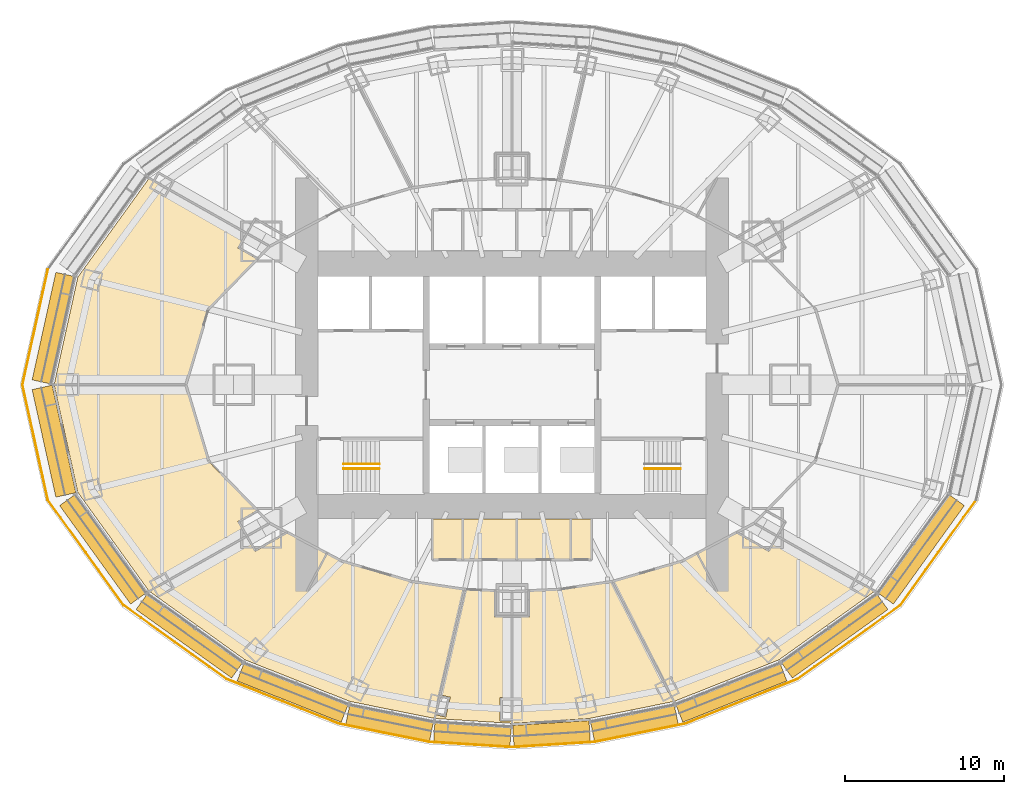
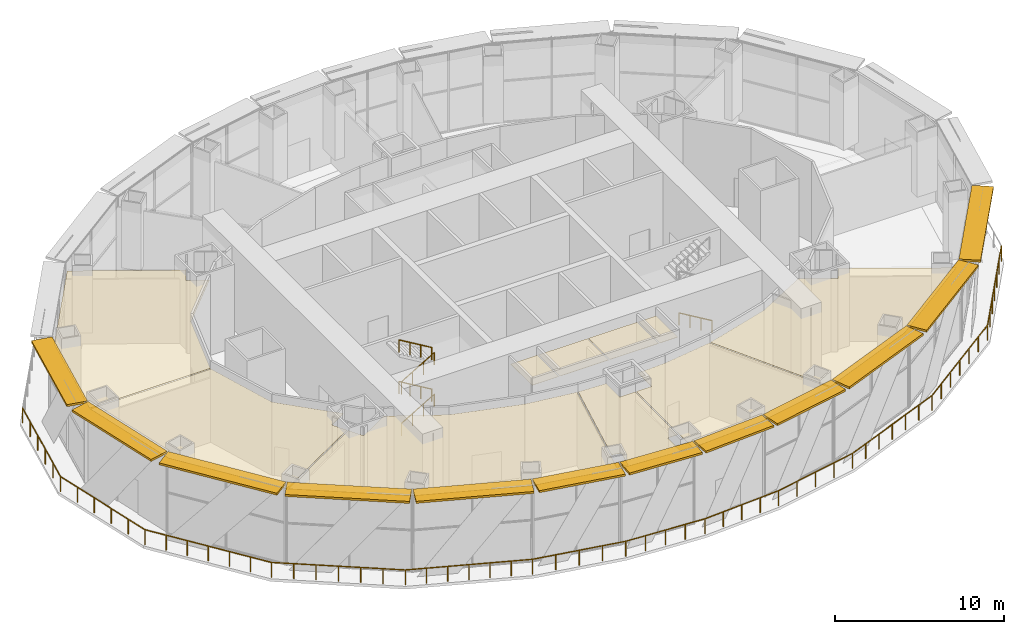
# One storey, part 19 of 21: 17 railings, 12 shading devices, 10 coverings.
"""IFC4 building model written with IfcOpenShell, lengths in metres."""

from ifc_helpers import new_model, si_unit, direction, frame, origin, origin_2d, place, context, subcontext, project, spatial, polyline, rectangle, circle, outline, extrude, material, layer, layer_set, type_object, element, save


model = new_model("IFC4")

# Units and contexts
model_context = context("Model", 3, precision=1e-05, world=origin(), true_north=direction((0.0, 1.0)))
body_context = subcontext(model_context, "Body", "Model", "MODEL_VIEW")
ifc_project = project(units=[si_unit("LENGTHUNIT", "METRE"), si_unit("AREAUNIT", "SQUARE_METRE"), si_unit("VOLUMEUNIT", "CUBIC_METRE"), si_unit("PLANEANGLEUNIT", "RADIAN"), si_unit("MASSUNIT", "GRAM", prefix="KILO")], contexts=[model_context])

# Site, building, storey
site_placement = place(None, origin())
site = spatial("IfcSite", under=ifc_project, at=site_placement, CompositionType="ELEMENT")
building_placement = place(site_placement, origin())
building = spatial("IfcBuilding", under=site, at=building_placement, Name="Lantaw Convention Tower", CompositionType="ELEMENT")
storey_placement = place(building_placement, frame((0.0, 0.0, 111.39990234375)))
storey = spatial("IfcBuildingStorey", under=building, at=storey_placement, Name="L26", CompositionType="ELEMENT", Elevation=111.39990234375)

# Railings
ifc_material_1 = material(Name="Stainless steel", Category="steel")
railing_type_1 = type_object("IfcRailingType", Name="Stair handrail", PredefinedType="HANDRAIL", material=ifc_material_1)
railing_1_placement = place(storey_placement, frame((-10.580078125, -5.280029296875, 0.166748046875)))
element("IfcRailing", 1, at=railing_1_placement, inside=storey, type_object=railing_type_1, Name="Stair handrail S1", PredefinedType="HANDRAIL", context=body_context, shape_type="SweptSolid", body=[
    extrude(circle(Radius=0.02392578125, at=origin_2d()), frame((0.0, 0.0, 0.8759765625), z_axis=(0.859305625298, 0.0, 0.511462454469), x_axis=(0.0, 1.0, 0.0)), (0.0, 0.0, 1.0), 2.606689453125),
    extrude(circle(Radius=0.02099609375, at=origin_2d()), origin(), (0.0, 0.0, 1.0), 0.851806640625),
    extrude(circle(Radius=0.02099609375, at=origin_2d()), frame((0.74658203125, 0.0, 0.4443359375)), (0.0, 0.0, 1.0), 0.851806640625),
    extrude(circle(Radius=0.02099609375, at=origin_2d()), frame((1.493408203125, 0.0, 0.888916015625)), (0.0, 0.0, 1.0), 0.851806640625),
    extrude(circle(Radius=0.02099609375, at=origin_2d()), frame((2.239990234375, 0.0, 1.333251953125)), (0.0, 0.0, 1.0), 0.851806640625),
])
railing_2_placement = place(storey_placement, frame((-8.340087890625, -4.97998046875, 1.666748046875)))
element("IfcRailing", 2, at=railing_2_placement, inside=storey, type_object=railing_type_1, Name="Stair handrail S1", PredefinedType="HANDRAIL", context=body_context, shape_type="SweptSolid", body=[
    extrude(circle(Radius=0.02392578125, at=origin_2d()), frame((0.0, 0.0, 0.8759765625), z_axis=(-0.859305625298, 0.0, 0.511462454469), x_axis=(0.0, -1.0, 0.0)), (0.0, 0.0, 1.0), 2.606689453125),
    extrude(circle(Radius=0.02099609375, at=origin_2d()), origin(), (0.0, 0.0, 1.0), 0.851806640625),
    extrude(circle(Radius=0.02099609375, at=origin_2d()), frame((-0.74658203125, 0.0, 0.4443359375)), (0.0, 0.0, 1.0), 0.851806640625),
    extrude(circle(Radius=0.02099609375, at=origin_2d()), frame((-1.493408203125, 0.0, 0.888916015625)), (0.0, 0.0, 1.0), 0.851806640625),
    extrude(circle(Radius=0.02099609375, at=origin_2d()), frame((-2.239990234375, 0.0, 1.333251953125)), (0.0, 0.0, 1.0), 0.851806640625),
])
railing_3_placement = place(storey_placement, frame((-10.580078125, -5.280029296875, 3.166748046875)))
element("IfcRailing", 3, at=railing_3_placement, inside=storey, type_object=railing_type_1, Name="Stair handrail S1", PredefinedType="HANDRAIL", context=body_context, shape_type="SweptSolid", body=[
    extrude(circle(Radius=0.02392578125, at=origin_2d()), frame((0.0, 0.0, 0.8759765625), z_axis=(0.859305625298, 0.0, 0.511462454469), x_axis=(0.0, 1.0, 0.0)), (0.0, 0.0, 1.0), 2.606689453125),
    extrude(circle(Radius=0.02099609375, at=origin_2d()), origin(), (0.0, 0.0, 1.0), 0.851806640625),
    extrude(circle(Radius=0.02099609375, at=origin_2d()), frame((0.74658203125, 0.0, 0.4443359375)), (0.0, 0.0, 1.0), 0.851806640625),
    extrude(circle(Radius=0.02099609375, at=origin_2d()), frame((1.493408203125, 0.0, 0.888916015625)), (0.0, 0.0, 1.0), 0.851806640625),
    extrude(circle(Radius=0.02099609375, at=origin_2d()), frame((2.239990234375, 0.0, 1.333251953125)), (0.0, 0.0, 1.0), 0.851806640625),
])
for number, where, name in (
    (4, (-8.340087890625, -4.97998046875, 4.666748046875), "Stair handrail S1"),
    (5, (10.580078125, -5.280029296875, 0.166748046875), "Stair handrail S2"),
):
    element("IfcRailing", number, at=place(storey_placement, frame(where)), inside=storey, type_object=railing_type_1, Name=name, PredefinedType="HANDRAIL", context=body_context, shape_type="SweptSolid", body=[
        extrude(circle(Radius=0.02392578125, at=origin_2d()), frame((0.0, 0.0, 0.8759765625), z_axis=(-0.859305625298, 0.0, 0.511462454469), x_axis=(0.0, -1.0, 0.0)), (0.0, 0.0, 1.0), 2.606689453125),
        extrude(circle(Radius=0.02099609375, at=origin_2d()), origin(), (0.0, 0.0, 1.0), 0.851806640625),
        extrude(circle(Radius=0.02099609375, at=origin_2d()), frame((-0.74658203125, 0.0, 0.4443359375)), (0.0, 0.0, 1.0), 0.851806640625),
        extrude(circle(Radius=0.02099609375, at=origin_2d()), frame((-1.493408203125, 0.0, 0.888916015625)), (0.0, 0.0, 1.0), 0.851806640625),
        extrude(circle(Radius=0.02099609375, at=origin_2d()), frame((-2.239990234375, 0.0, 1.333251953125)), (0.0, 0.0, 1.0), 0.851806640625),
    ])

# Coverings
ifc_material_2 = material(Name="Gypsum board on steel suspension grid", Category="steel")
ifc_layer = layer(ifc_material_2, 0.02001953125)
ifc_layer_set = layer_set([ifc_layer], Name="Suspended ceiling")
covering_type = type_object("IfcCoveringType", Name="Suspended ceiling", PredefinedType="CEILING", material=ifc_layer_set)
covering_1_placement = place(storey_placement, frame((0.0, 0.0, 5.25)))
element("IfcCovering", 6, at=covering_1_placement, inside=storey, type_object=covering_type, Name="Accessible WC ceiling", PredefinedType="CEILING", context=body_context, shape_type="SweptSolid", body=[
    extrude(outline(polyline([(-4.9599609375, -10.967041015625), (-3.139892578125, -10.967041015625), (-3.139892578125, -8.43994140625), (-4.9599609375, -8.43994140625), (-4.9599609375, -10.967041015625)])), origin(), (0.0, 0.0, 1.0), 0.02001953125),
])
covering_2_placement = place(storey_placement, frame((0.0, 0.0, 5.25)))
element("IfcCovering", 7, at=covering_2_placement, inside=storey, type_object=covering_type, Name="Male WC ceiling", PredefinedType="CEILING", context=body_context, shape_type="SweptSolid", body=[
    extrude(outline(polyline([(-3.06005859375, -10.967041015625), (0.260009765625, -10.967041015625), (0.260009765625, -8.43994140625), (-3.06005859375, -8.43994140625), (-3.06005859375, -10.967041015625)])), origin(), (0.0, 0.0, 1.0), 0.02001953125),
])
covering_3_placement = place(storey_placement, frame((0.0, 0.0, 5.25)))
element("IfcCovering", 8, at=covering_3_placement, inside=storey, type_object=covering_type, Name="Female WC ceiling", PredefinedType="CEILING", context=body_context, shape_type="SweptSolid", body=[
    extrude(outline(polyline([(0.340087890625, -10.967041015625), (3.659912109375, -10.967041015625), (3.659912109375, -8.43994140625), (0.340087890625, -8.43994140625), (0.340087890625, -10.967041015625)])), origin(), (0.0, 0.0, 1.0), 0.02001953125),
])
covering_4_placement = place(storey_placement, frame((0.0, 0.0, 5.25)))
element("IfcCovering", 9, at=covering_4_placement, inside=storey, type_object=covering_type, Name="Pantry ceiling", PredefinedType="CEILING", context=body_context, shape_type="SweptSolid", body=[
    extrude(outline(polyline([(3.739990234375, -10.967041015625), (4.9599609375, -10.967041015625), (4.9599609375, -8.43994140625), (3.739990234375, -8.43994140625), (3.739990234375, -10.967041015625)])), origin(), (0.0, 0.0, 1.0), 0.02001953125),
])
covering_5_placement = place(storey_placement, frame((0.0, 0.0, 5.25)))
element("IfcCovering", 10, at=covering_5_placement, inside=storey, type_object=covering_type, Name="Security office ceiling", PredefinedType="CEILING", context=body_context, shape_type="SweptSolid", body=[
    extrude(outline(polyline([(-19.11376953125, 4.777587890625), (-16.051513671875, 7.916748046875), (-17.237060546875, 8.594482421875), (-16.720703125, 9.498291015625), (-22.832275390625, 12.947265625), (-27.286865234375, 6.763671875), (-28.77099609375, 0.0400390625), (-20.52978515625, 0.0400390625), (-19.11376953125, 4.777587890625)])), origin(), (0.0, 0.0, 1.0), 0.02001953125),
])
covering_6_placement = place(storey_placement, frame((0.0, 0.0, 5.25)))
element("IfcCovering", 11, at=covering_6_placement, inside=storey, type_object=covering_type, Name="Tenant pantry ceiling", PredefinedType="CEILING", context=body_context, shape_type="SweptSolid", body=[
    extrude(outline(polyline([(-19.11376953125, -4.777587890625), (-20.52978515625, -0.0400390625), (-28.77099609375, -0.0400390625), (-27.286865234375, -6.763671875), (-22.832275390625, -12.947265625), (-16.720703125, -9.498291015625), (-17.237060546875, -8.594482421875), (-16.051513671875, -7.916748046875), (-19.11376953125, -4.777587890625)])), origin(), (0.0, 0.0, 1.0), 0.02001953125),
])
covering_7_placement = place(storey_placement, frame((0.0, 0.0, 5.25)))
element("IfcCovering", 12, at=covering_7_placement, inside=storey, type_object=covering_type, Name="Tenant business centre ceiling", PredefinedType="CEILING", context=body_context, shape_type="SweptSolid", body=[
    extrude(outline(polyline([(-10.720947265625, -11.12353515625), (-14.12744140625, -9.328369140625), (-16.155517578125, -10.487060546875), (-16.68115234375, -9.567626953125), (-22.76953125, -13.003662109375), (-16.778076171875, -17.29150390625), (-10.1865234375, -19.90576171875), (-4.899658203125, -20.970947265625), (-3.0185546875, -12.89599609375), (-6.3115234375, -12.409423828125), (-10.720947265625, -11.12353515625)])), origin(), (0.0, 0.0, 1.0), 0.02001953125),
])
covering_8_placement = place(storey_placement, frame((0.0, 0.0, 5.25)))
element("IfcCovering", 13, at=covering_8_placement, inside=storey, type_object=covering_type, Name="Mail and courier room ceiling", PredefinedType="CEILING", context=body_context, shape_type="SweptSolid", body=[
    extrude(outline(polyline([(-1.090087890625, -14.590087890625), (-1.090087890625, -12.98974609375), (-2.938232421875, -12.904296875), (-4.475341796875, -19.50244140625), (-3.87744140625, -19.640380859375), (-4.16552734375, -20.8876953125), (-4.765869140625, -20.7490234375), (-4.820068359375, -20.98095703125), (-0.0400390625, -21.281982421875), (-0.0400390625, -21.139892578125), (-0.739990234375, -21.139892578125), (-0.739990234375, -19.659912109375), (-0.0400390625, -19.659912109375), (-0.0400390625, -14.590087890625), (-1.090087890625, -14.590087890625)])), origin(), (0.0, 0.0, 1.0), 0.02001953125),
])
covering_9_placement = place(storey_placement, frame((0.0, 0.0, 5.25)))
element("IfcCovering", 14, at=covering_9_placement, inside=storey, type_object=covering_type, Name="Concierge office ceiling", PredefinedType="CEILING", context=body_context, shape_type="SweptSolid", body=[
    extrude(outline(polyline([(2.973388671875, -12.90283203125), (1.090087890625, -12.98974609375), (1.090087890625, -14.590087890625), (0.0400390625, -14.590087890625), (0.0400390625, -21.281982421875), (4.864501953125, -20.978271484375), (10.13818359375, -19.91552734375), (6.280517578125, -12.4140625), (2.973388671875, -12.90283203125)])), origin(), (0.0, 0.0, 1.0), 0.02001953125),
])
covering_10_placement = place(storey_placement, frame((0.0, 0.0, 5.25)))
element("IfcCovering", 15, at=covering_10_placement, inside=storey, type_object=covering_type, Name="Business centre office ceiling", PredefinedType="CEILING", context=body_context, shape_type="SweptSolid", body=[
    extrude(outline(polyline([(10.720947265625, -11.12353515625), (6.36083984375, -12.39501953125), (10.217041015625, -19.893798828125), (16.778076171875, -17.29150390625), (22.76953125, -13.003662109375), (16.68115234375, -9.567626953125), (16.155517578125, -10.487060546875), (14.12744140625, -9.328369140625), (10.720947265625, -11.12353515625)])), origin(), (0.0, 0.0, 1.0), 0.02001953125),
])

# Railings
ifc_material_3 = material(Name="Stainless steel posts and laminated glass, pale silver finish", Category="steel")
railing_type_2 = type_object("IfcRailingType", Name="Terrace guard railing 1100", PredefinedType="GUARDRAIL", material=ifc_material_3)
railing_4_placement = place(storey_placement, frame((-29.17529296875, 7.23291015625, 0.0)))
element("IfcRailing", 16, at=railing_4_placement, inside=storey, type_object=railing_type_2, Name="Terrace guard", PredefinedType="GUARDRAIL", context=body_context, shape_type="SweptSolid", body=[
    extrude(circle(Radius=0.02392578125, at=origin_2d()), frame((0.0, 0.0, 1.076171875), z_axis=(-0.215247863414, -0.976559448931, 0.0), x_axis=(0.976559448931, -0.215247863414, 0.0)), (0.0, 0.0, 1.0), 7.406494140625),
    extrude(circle(Radius=0.02099609375, at=origin_2d()), origin(), (0.0, 0.0, 1.0), 1.052001953125),
    extrude(circle(Radius=0.02099609375, at=origin_2d()), frame((-0.31884765625, -1.446533203125, 0.0)), (0.0, 0.0, 1.0), 1.052001953125),
    extrude(circle(Radius=0.02099609375, at=origin_2d()), frame((-0.6376953125, -2.89306640625, 0.0)), (0.0, 0.0, 1.0), 1.052001953125),
    extrude(circle(Radius=0.02099609375, at=origin_2d()), frame((-0.95654296875, -4.33984375, 0.0)), (0.0, 0.0, 1.0), 1.052001953125),
    extrude(circle(Radius=0.02099609375, at=origin_2d()), frame((-1.275390625, -5.786376953125, 0.0)), (0.0, 0.0, 1.0), 1.052001953125),
    extrude(circle(Radius=0.02099609375, at=origin_2d()), frame((-1.59423828125, -7.23291015625, 0.0)), (0.0, 0.0, 1.0), 1.052001953125),
])
railing_5_placement = place(storey_placement, frame((-30.76953125, 0.0, 0.0)))
element("IfcRailing", 17, at=railing_5_placement, inside=storey, type_object=railing_type_2, Name="Terrace guard", PredefinedType="GUARDRAIL", context=body_context, shape_type="SweptSolid", body=[
    extrude(circle(Radius=0.02392578125, at=origin_2d()), frame((0.0, 0.0, 1.076171875), z_axis=(0.215247863414, -0.976559448931, 0.0), x_axis=(0.976559448931, 0.215247863414, 0.0)), (0.0, 0.0, 1.0), 7.406494140625),
    extrude(circle(Radius=0.02099609375, at=origin_2d()), origin(), (0.0, 0.0, 1.0), 1.052001953125),
    extrude(circle(Radius=0.02099609375, at=origin_2d()), frame((0.31884765625, -1.446533203125, 0.0)), (0.0, 0.0, 1.0), 1.052001953125),
    extrude(circle(Radius=0.02099609375, at=origin_2d()), frame((0.6376953125, -2.89306640625, 0.0)), (0.0, 0.0, 1.0), 1.052001953125),
    extrude(circle(Radius=0.02099609375, at=origin_2d()), frame((0.95654296875, -4.33984375, 0.0)), (0.0, 0.0, 1.0), 1.052001953125),
    extrude(circle(Radius=0.02099609375, at=origin_2d()), frame((1.275390625, -5.786376953125, 0.0)), (0.0, 0.0, 1.0), 1.052001953125),
    extrude(circle(Radius=0.02099609375, at=origin_2d()), frame((1.59423828125, -7.23291015625, 0.0)), (0.0, 0.0, 1.0), 1.052001953125),
])
railing_6_placement = place(storey_placement, frame((-29.17529296875, -7.23291015625, 0.0)))
element("IfcRailing", 18, at=railing_6_placement, inside=storey, type_object=railing_type_2, Name="Terrace guard", PredefinedType="GUARDRAIL", context=body_context, shape_type="SweptSolid", body=[
    extrude(circle(Radius=0.02392578125, at=origin_2d()), frame((0.0, 0.0, 1.076171875), z_axis=(0.58395397625, -0.811786766104, 0.0), x_axis=(0.811786766104, 0.58395397625, 0.0)), (0.0, 0.0, 1.0), 8.179443359375),
    extrude(circle(Radius=0.02099609375, at=origin_2d()), origin(), (0.0, 0.0, 1.0), 1.052001953125),
    extrude(circle(Radius=0.02099609375, at=origin_2d()), frame((0.796142578125, -1.106689453125, 0.0)), (0.0, 0.0, 1.0), 1.052001953125),
    extrude(circle(Radius=0.02099609375, at=origin_2d()), frame((1.592041015625, -2.21337890625, 0.0)), (0.0, 0.0, 1.0), 1.052001953125),
    extrude(circle(Radius=0.02099609375, at=origin_2d()), frame((2.38818359375, -3.31982421875, 0.0)), (0.0, 0.0, 1.0), 1.052001953125),
    extrude(circle(Radius=0.02099609375, at=origin_2d()), frame((3.184326171875, -4.426513671875, 0.0)), (0.0, 0.0, 1.0), 1.052001953125),
    extrude(circle(Radius=0.02099609375, at=origin_2d()), frame((3.980224609375, -5.533203125, 0.0)), (0.0, 0.0, 1.0), 1.052001953125),
    extrude(circle(Radius=0.02099609375, at=origin_2d()), frame((4.7763671875, -6.639892578125, 0.0)), (0.0, 0.0, 1.0), 1.052001953125),
])
railing_7_placement = place(storey_placement, frame((-24.39892578125, -13.872802734375, 0.0)))
element("IfcRailing", 19, at=railing_7_placement, inside=storey, type_object=railing_type_2, Name="Terrace guard", PredefinedType="GUARDRAIL", context=body_context, shape_type="SweptSolid", body=[
    extrude(circle(Radius=0.02392578125, at=origin_2d()), frame((0.0, 0.0, 1.076171875), z_axis=(0.812795285718, -0.582549417229, 0.0), x_axis=(0.582549417229, 0.812795285718, 0.0)), (0.0, 0.0, 1.0), 7.938720703125),
    extrude(circle(Radius=0.02099609375, at=origin_2d()), origin(), (0.0, 0.0, 1.0), 1.052001953125),
    extrude(circle(Radius=0.02099609375, at=origin_2d()), frame((1.075439453125, -0.770751953125, 0.0)), (0.0, 0.0, 1.0), 1.052001953125),
    extrude(circle(Radius=0.02099609375, at=origin_2d()), frame((2.15087890625, -1.54150390625, 0.0)), (0.0, 0.0, 1.0), 1.052001953125),
    extrude(circle(Radius=0.02099609375, at=origin_2d()), frame((3.226318359375, -2.3125, 0.0)), (0.0, 0.0, 1.0), 1.052001953125),
    extrude(circle(Radius=0.02099609375, at=origin_2d()), frame((4.3017578125, -3.083251953125, 0.0)), (0.0, 0.0, 1.0), 1.052001953125),
    extrude(circle(Radius=0.02099609375, at=origin_2d()), frame((5.377197265625, -3.85400390625, 0.0)), (0.0, 0.0, 1.0), 1.052001953125),
    extrude(circle(Radius=0.02099609375, at=origin_2d()), frame((6.45263671875, -4.624755859375, 0.0)), (0.0, 0.0, 1.0), 1.052001953125),
])
railing_8_placement = place(storey_placement, frame((-17.9462890625, -18.49755859375, 0.0)))
element("IfcRailing", 20, at=railing_8_placement, inside=storey, type_object=railing_type_2, Name="Terrace guard", PredefinedType="GUARDRAIL", context=body_context, shape_type="SweptSolid", body=[
    extrude(circle(Radius=0.02392578125, at=origin_2d()), frame((0.0, 0.0, 1.076171875), z_axis=(0.929366458811, -0.369158482548, 0.0), x_axis=(0.369158482548, 0.929366458811, 0.0)), (0.0, 0.0, 1.0), 7.584228515625),
    extrude(circle(Radius=0.02099609375, at=origin_2d()), origin(), (0.0, 0.0, 1.0), 1.052001953125),
    extrude(circle(Radius=0.02099609375, at=origin_2d()), frame((1.1748046875, -0.466552734375, 0.0)), (0.0, 0.0, 1.0), 1.052001953125),
    extrude(circle(Radius=0.02099609375, at=origin_2d()), frame((2.349609375, -0.933349609375, 0.0)), (0.0, 0.0, 1.0), 1.052001953125),
    extrude(circle(Radius=0.02099609375, at=origin_2d()), frame((3.5244140625, -1.39990234375, 0.0)), (0.0, 0.0, 1.0), 1.052001953125),
    extrude(circle(Radius=0.02099609375, at=origin_2d()), frame((4.698974609375, -1.866455078125, 0.0)), (0.0, 0.0, 1.0), 1.052001953125),
    extrude(circle(Radius=0.02099609375, at=origin_2d()), frame((5.873779296875, -2.333251953125, 0.0)), (0.0, 0.0, 1.0), 1.052001953125),
    extrude(circle(Radius=0.02099609375, at=origin_2d()), frame((7.048583984375, -2.7998046875, 0.0)), (0.0, 0.0, 1.0), 1.052001953125),
])
railing_9_placement = place(storey_placement, frame((-10.897705078125, -21.29736328125, 0.0)))
element("IfcRailing", 21, at=railing_9_placement, inside=storey, type_object=railing_type_2, Name="Terrace guard", PredefinedType="GUARDRAIL", context=body_context, shape_type="SweptSolid", body=[
    extrude(circle(Radius=0.02392578125, at=origin_2d()), frame((0.0, 0.0, 1.076171875), z_axis=(0.980239698591, -0.197813379999, 0.0), x_axis=(0.197813379999, 0.980239698591, 0.0)), (0.0, 0.0, 1.0), 5.80810546875),
    extrude(circle(Radius=0.02099609375, at=origin_2d()), origin(), (0.0, 0.0, 1.0), 1.052001953125),
    extrude(circle(Radius=0.02099609375, at=origin_2d()), frame((1.42333984375, -0.287109375, 0.0)), (0.0, 0.0, 1.0), 1.052001953125),
    extrude(circle(Radius=0.02099609375, at=origin_2d()), frame((2.8466796875, -0.574462890625, 0.0)), (0.0, 0.0, 1.0), 1.052001953125),
    extrude(circle(Radius=0.02099609375, at=origin_2d()), frame((4.27001953125, -0.86181640625, 0.0)), (0.0, 0.0, 1.0), 1.052001953125),
    extrude(circle(Radius=0.02099609375, at=origin_2d()), frame((5.693359375, -1.14892578125, 0.0)), (0.0, 0.0, 1.0), 1.052001953125),
])
railing_10_placement = place(storey_placement, frame((-5.204345703125, -22.4462890625, 0.0)))
element("IfcRailing", 22, at=railing_10_placement, inside=storey, type_object=railing_type_2, Name="Terrace guard", PredefinedType="GUARDRAIL", context=body_context, shape_type="SweptSolid", body=[
    extrude(circle(Radius=0.02392578125, at=origin_2d()), frame((0.0, 0.0, 1.076171875), z_axis=(0.998015422482, -0.062969964969, 0.0), x_axis=(0.062969964969, 0.998015422482, 0.0)), (0.0, 0.0, 1.0), 5.214599609375),
    extrude(circle(Radius=0.02099609375, at=origin_2d()), origin(), (0.0, 0.0, 1.0), 1.052001953125),
    extrude(circle(Radius=0.02099609375, at=origin_2d()), frame((1.301025390625, -0.08203125, 0.0)), (0.0, 0.0, 1.0), 1.052001953125),
    extrude(circle(Radius=0.02099609375, at=origin_2d()), frame((2.60205078125, -0.1640625, 0.0)), (0.0, 0.0, 1.0), 1.052001953125),
    extrude(circle(Radius=0.02099609375, at=origin_2d()), frame((3.9033203125, -0.246337890625, 0.0)), (0.0, 0.0, 1.0), 1.052001953125),
    extrude(circle(Radius=0.02099609375, at=origin_2d()), frame((5.204345703125, -0.328369140625, 0.0)), (0.0, 0.0, 1.0), 1.052001953125),
])
railing_11_placement = place(storey_placement, frame((0.0, -22.774658203125, 0.0)))
element("IfcRailing", 23, at=railing_11_placement, inside=storey, type_object=railing_type_2, Name="Terrace guard", PredefinedType="GUARDRAIL", context=body_context, shape_type="SweptSolid", body=[
    extrude(circle(Radius=0.02392578125, at=origin_2d()), frame((0.0, 0.0, 1.076171875), z_axis=(0.998015422482, 0.062969964969, 0.0), x_axis=(-0.062969964969, 0.998015422482, 0.0)), (0.0, 0.0, 1.0), 5.214599609375),
    extrude(circle(Radius=0.02099609375, at=origin_2d()), origin(), (0.0, 0.0, 1.0), 1.052001953125),
    extrude(circle(Radius=0.02099609375, at=origin_2d()), frame((1.301025390625, 0.08203125, 0.0)), (0.0, 0.0, 1.0), 1.052001953125),
    extrude(circle(Radius=0.02099609375, at=origin_2d()), frame((2.60205078125, 0.1640625, 0.0)), (0.0, 0.0, 1.0), 1.052001953125),
    extrude(circle(Radius=0.02099609375, at=origin_2d()), frame((3.9033203125, 0.246337890625, 0.0)), (0.0, 0.0, 1.0), 1.052001953125),
    extrude(circle(Radius=0.02099609375, at=origin_2d()), frame((5.204345703125, 0.328369140625, 0.0)), (0.0, 0.0, 1.0), 1.052001953125),
])
railing_12_placement = place(storey_placement, frame((5.204345703125, -22.4462890625, 0.0)))
element("IfcRailing", 24, at=railing_12_placement, inside=storey, type_object=railing_type_2, Name="Terrace guard", PredefinedType="GUARDRAIL", context=body_context, shape_type="SweptSolid", body=[
    extrude(circle(Radius=0.02392578125, at=origin_2d()), frame((0.0, 0.0, 1.076171875), z_axis=(0.980239698591, 0.197813379999, 0.0), x_axis=(-0.197813379999, 0.980239698591, 0.0)), (0.0, 0.0, 1.0), 5.80810546875),
    extrude(circle(Radius=0.02099609375, at=origin_2d()), origin(), (0.0, 0.0, 1.0), 1.052001953125),
    extrude(circle(Radius=0.02099609375, at=origin_2d()), frame((1.42333984375, 0.287109375, 0.0)), (0.0, 0.0, 1.0), 1.052001953125),
    extrude(circle(Radius=0.02099609375, at=origin_2d()), frame((2.8466796875, 0.574462890625, 0.0)), (0.0, 0.0, 1.0), 1.052001953125),
    extrude(circle(Radius=0.02099609375, at=origin_2d()), frame((4.27001953125, 0.86181640625, 0.0)), (0.0, 0.0, 1.0), 1.052001953125),
    extrude(circle(Radius=0.02099609375, at=origin_2d()), frame((5.693359375, 1.14892578125, 0.0)), (0.0, 0.0, 1.0), 1.052001953125),
])
railing_13_placement = place(storey_placement, frame((10.897705078125, -21.29736328125, 0.0)))
element("IfcRailing", 25, at=railing_13_placement, inside=storey, type_object=railing_type_2, Name="Terrace guard", PredefinedType="GUARDRAIL", context=body_context, shape_type="SweptSolid", body=[
    extrude(circle(Radius=0.02392578125, at=origin_2d()), frame((0.0, 0.0, 1.076171875), z_axis=(0.929366458811, 0.369158482548, 0.0), x_axis=(-0.369158482548, 0.929366458811, 0.0)), (0.0, 0.0, 1.0), 7.584228515625),
    extrude(circle(Radius=0.02099609375, at=origin_2d()), origin(), (0.0, 0.0, 1.0), 1.052001953125),
    extrude(circle(Radius=0.02099609375, at=origin_2d()), frame((1.1748046875, 0.466552734375, 0.0)), (0.0, 0.0, 1.0), 1.052001953125),
    extrude(circle(Radius=0.02099609375, at=origin_2d()), frame((2.349609375, 0.933349609375, 0.0)), (0.0, 0.0, 1.0), 1.052001953125),
    extrude(circle(Radius=0.02099609375, at=origin_2d()), frame((3.5244140625, 1.39990234375, 0.0)), (0.0, 0.0, 1.0), 1.052001953125),
    extrude(circle(Radius=0.02099609375, at=origin_2d()), frame((4.698974609375, 1.866455078125, 0.0)), (0.0, 0.0, 1.0), 1.052001953125),
    extrude(circle(Radius=0.02099609375, at=origin_2d()), frame((5.873779296875, 2.333251953125, 0.0)), (0.0, 0.0, 1.0), 1.052001953125),
    extrude(circle(Radius=0.02099609375, at=origin_2d()), frame((7.048583984375, 2.7998046875, 0.0)), (0.0, 0.0, 1.0), 1.052001953125),
])
railing_14_placement = place(storey_placement, frame((17.9462890625, -18.49755859375, 0.0)))
element("IfcRailing", 26, at=railing_14_placement, inside=storey, type_object=railing_type_2, Name="Terrace guard", PredefinedType="GUARDRAIL", context=body_context, shape_type="SweptSolid", body=[
    extrude(circle(Radius=0.02392578125, at=origin_2d()), frame((0.0, 0.0, 1.076171875), z_axis=(0.812795285718, 0.582549417229, 0.0), x_axis=(-0.582549417229, 0.812795285718, 0.0)), (0.0, 0.0, 1.0), 7.938720703125),
    extrude(circle(Radius=0.02099609375, at=origin_2d()), origin(), (0.0, 0.0, 1.0), 1.052001953125),
    extrude(circle(Radius=0.02099609375, at=origin_2d()), frame((1.075439453125, 0.770751953125, 0.0)), (0.0, 0.0, 1.0), 1.052001953125),
    extrude(circle(Radius=0.02099609375, at=origin_2d()), frame((2.15087890625, 1.54150390625, 0.0)), (0.0, 0.0, 1.0), 1.052001953125),
    extrude(circle(Radius=0.02099609375, at=origin_2d()), frame((3.226318359375, 2.3125, 0.0)), (0.0, 0.0, 1.0), 1.052001953125),
    extrude(circle(Radius=0.02099609375, at=origin_2d()), frame((4.3017578125, 3.083251953125, 0.0)), (0.0, 0.0, 1.0), 1.052001953125),
    extrude(circle(Radius=0.02099609375, at=origin_2d()), frame((5.377197265625, 3.85400390625, 0.0)), (0.0, 0.0, 1.0), 1.052001953125),
    extrude(circle(Radius=0.02099609375, at=origin_2d()), frame((6.45263671875, 4.624755859375, 0.0)), (0.0, 0.0, 1.0), 1.052001953125),
])
railing_15_placement = place(storey_placement, frame((24.39892578125, -13.872802734375, 0.0)))
element("IfcRailing", 27, at=railing_15_placement, inside=storey, type_object=railing_type_2, Name="Terrace guard", PredefinedType="GUARDRAIL", context=body_context, shape_type="SweptSolid", body=[
    extrude(circle(Radius=0.02392578125, at=origin_2d()), frame((0.0, 0.0, 1.076171875), z_axis=(0.58395397625, 0.811786766104, 0.0), x_axis=(-0.811786766104, 0.58395397625, 0.0)), (0.0, 0.0, 1.0), 8.179443359375),
    extrude(circle(Radius=0.02099609375, at=origin_2d()), origin(), (0.0, 0.0, 1.0), 1.052001953125),
    extrude(circle(Radius=0.02099609375, at=origin_2d()), frame((0.796142578125, 1.106689453125, 0.0)), (0.0, 0.0, 1.0), 1.052001953125),
    extrude(circle(Radius=0.02099609375, at=origin_2d()), frame((1.592041015625, 2.21337890625, 0.0)), (0.0, 0.0, 1.0), 1.052001953125),
    extrude(circle(Radius=0.02099609375, at=origin_2d()), frame((2.38818359375, 3.31982421875, 0.0)), (0.0, 0.0, 1.0), 1.052001953125),
    extrude(circle(Radius=0.02099609375, at=origin_2d()), frame((3.184326171875, 4.426513671875, 0.0)), (0.0, 0.0, 1.0), 1.052001953125),
    extrude(circle(Radius=0.02099609375, at=origin_2d()), frame((3.980224609375, 5.533203125, 0.0)), (0.0, 0.0, 1.0), 1.052001953125),
    extrude(circle(Radius=0.02099609375, at=origin_2d()), frame((4.7763671875, 6.639892578125, 0.0)), (0.0, 0.0, 1.0), 1.052001953125),
])

# Shading devices
for number, where, z_axis, x_axis, name in (
    (28, (-28.7880859375, 3.546875, 5.705078125), (0.0, 0.0, 1.0), (-0.215546166174, -0.9764936509, 0.0), "SUNSHADE blade"),
    (29, (-28.7880859375, -3.546875, 5.705078125), (0.0, 0.0, 1.0), (0.215546166174, -0.9764936509, 0.0), "SUNSHADE blade"),
):
    element("IfcShadingDevice", number, at=place(storey_placement, frame(where, z_axis=z_axis, x_axis=x_axis)), inside=storey, Name=name, ObjectType="SUNSHADE", PredefinedType="USERDEFINED", context=body_context, shape_type="SweptSolid", body=[
        extrude(rectangle(XDim=6.918212890625, YDim=1.284912109375, at=origin_2d()), origin(), (0.0, 0.0, 1.0), 0.14990234375),
    ])
shading_device_1_placement = place(storey_placement, frame((-25.680419921875, -10.315185546875, 5.705078125), z_axis=(0.0, 0.0, 1.0), x_axis=(0.584512597221, -0.811384633629, 0.0)))
element("IfcShadingDevice", 30, at=shading_device_1_placement, inside=storey, Name="SUNSHADE blade", ObjectType="SUNSHADE", PredefinedType="USERDEFINED", context=body_context, shape_type="SweptSolid", body=[
    extrude(rectangle(XDim=7.6298828125, YDim=1.284912109375, at=origin_2d()), origin(), (0.0, 0.0, 1.0), 0.14990234375),
])
shading_device_2_placement = place(storey_placement, frame((-20.249755859375, -15.7568359375, 5.705078125), z_axis=(0.0, 0.0, 1.0), x_axis=(0.813208325995, -0.581972695693, 0.0)))
element("IfcShadingDevice", 31, at=shading_device_2_placement, inside=storey, Name="SUNSHADE blade", ObjectType="SUNSHADE", PredefinedType="USERDEFINED", context=body_context, shape_type="SweptSolid", body=[
    extrude(rectangle(XDim=7.385498046875, YDim=1.284912109375, at=origin_2d()), origin(), (0.0, 0.0, 1.0), 0.14990234375),
])
shading_device_3_placement = place(storey_placement, frame((-13.7705078125, -19.3154296875, 5.705078125), z_axis=(0.0, 0.0, 1.0), x_axis=(0.929547687544, -0.368701907483, 0.0)))
element("IfcShadingDevice", 32, at=shading_device_3_placement, inside=storey, Name="SUNSHADE blade", ObjectType="SUNSHADE", PredefinedType="USERDEFINED", context=body_context, shape_type="SweptSolid", body=[
    extrude(rectangle(XDim=7.03662109375, YDim=1.284912109375, at=origin_2d()), origin(), (0.0, 0.0, 1.0), 0.14990234375),
])
shading_device_4_placement = place(storey_placement, frame((-7.680419921875, -21.19873046875, 5.705078125), z_axis=(0.0, 0.0, 1.0), x_axis=(0.980301514912, -0.197506809659, 0.0)))
element("IfcShadingDevice", 33, at=shading_device_4_placement, inside=storey, Name="SUNSHADE blade", ObjectType="SUNSHADE", PredefinedType="USERDEFINED", context=body_context, shape_type="SweptSolid", body=[
    extrude(rectangle(XDim=5.363037109375, YDim=1.284912109375, at=origin_2d()), origin(), (0.0, 0.0, 1.0), 0.14990234375),
])
for number, where, z_axis, x_axis, name in (
    (34, (-2.481201171875, -21.90234375, 5.705078125), (0.0, 0.0, 1.0), (0.998022035978, -0.062865059466, 0.0), "SUNSHADE blade"),
    (35, (2.481201171875, -21.90234375, 5.705078125), (0.0, 0.0, 1.0), (0.998022035978, 0.062865059466, 0.0), "SUNSHADE blade"),
):
    element("IfcShadingDevice", number, at=place(storey_placement, frame(where, z_axis=z_axis, x_axis=x_axis)), inside=storey, Name=name, ObjectType="SUNSHADE", PredefinedType="USERDEFINED", context=body_context, shape_type="SweptSolid", body=[
        extrude(rectangle(XDim=4.80224609375, YDim=1.284912109375, at=origin_2d()), origin(), (0.0, 0.0, 1.0), 0.14990234375),
    ])
shading_device_5_placement = place(storey_placement, frame((7.680419921875, -21.19873046875, 5.705078125), z_axis=(0.0, 0.0, 1.0), x_axis=(0.980301514912, 0.197506809659, 0.0)))
element("IfcShadingDevice", 36, at=shading_device_5_placement, inside=storey, Name="SUNSHADE blade", ObjectType="SUNSHADE", PredefinedType="USERDEFINED", context=body_context, shape_type="SweptSolid", body=[
    extrude(rectangle(XDim=5.363037109375, YDim=1.284912109375, at=origin_2d()), origin(), (0.0, 0.0, 1.0), 0.14990234375),
])
shading_device_6_placement = place(storey_placement, frame((13.7705078125, -19.3154296875, 5.705078125), z_axis=(0.0, 0.0, 1.0), x_axis=(0.929547687544, 0.368701907483, 0.0)))
element("IfcShadingDevice", 37, at=shading_device_6_placement, inside=storey, Name="SUNSHADE blade", ObjectType="SUNSHADE", PredefinedType="USERDEFINED", context=body_context, shape_type="SweptSolid", body=[
    extrude(rectangle(XDim=7.03662109375, YDim=1.284912109375, at=origin_2d()), origin(), (0.0, 0.0, 1.0), 0.14990234375),
])
shading_device_7_placement = place(storey_placement, frame((20.249755859375, -15.7568359375, 5.705078125), z_axis=(0.0, 0.0, 1.0), x_axis=(0.813208325995, 0.581972695693, 0.0)))
element("IfcShadingDevice", 38, at=shading_device_7_placement, inside=storey, Name="SUNSHADE blade", ObjectType="SUNSHADE", PredefinedType="USERDEFINED", context=body_context, shape_type="SweptSolid", body=[
    extrude(rectangle(XDim=7.385498046875, YDim=1.284912109375, at=origin_2d()), origin(), (0.0, 0.0, 1.0), 0.14990234375),
])
shading_device_8_placement = place(storey_placement, frame((25.680419921875, -10.315185546875, 5.705078125), z_axis=(0.0, 0.0, 1.0), x_axis=(0.584512597221, 0.811384633629, 0.0)))
element("IfcShadingDevice", 39, at=shading_device_8_placement, inside=storey, Name="SUNSHADE blade", ObjectType="SUNSHADE", PredefinedType="USERDEFINED", context=body_context, shape_type="SweptSolid", body=[
    extrude(rectangle(XDim=7.6298828125, YDim=1.284912109375, at=origin_2d()), origin(), (0.0, 0.0, 1.0), 0.14990234375),
])

save(model, "model.ifc")
